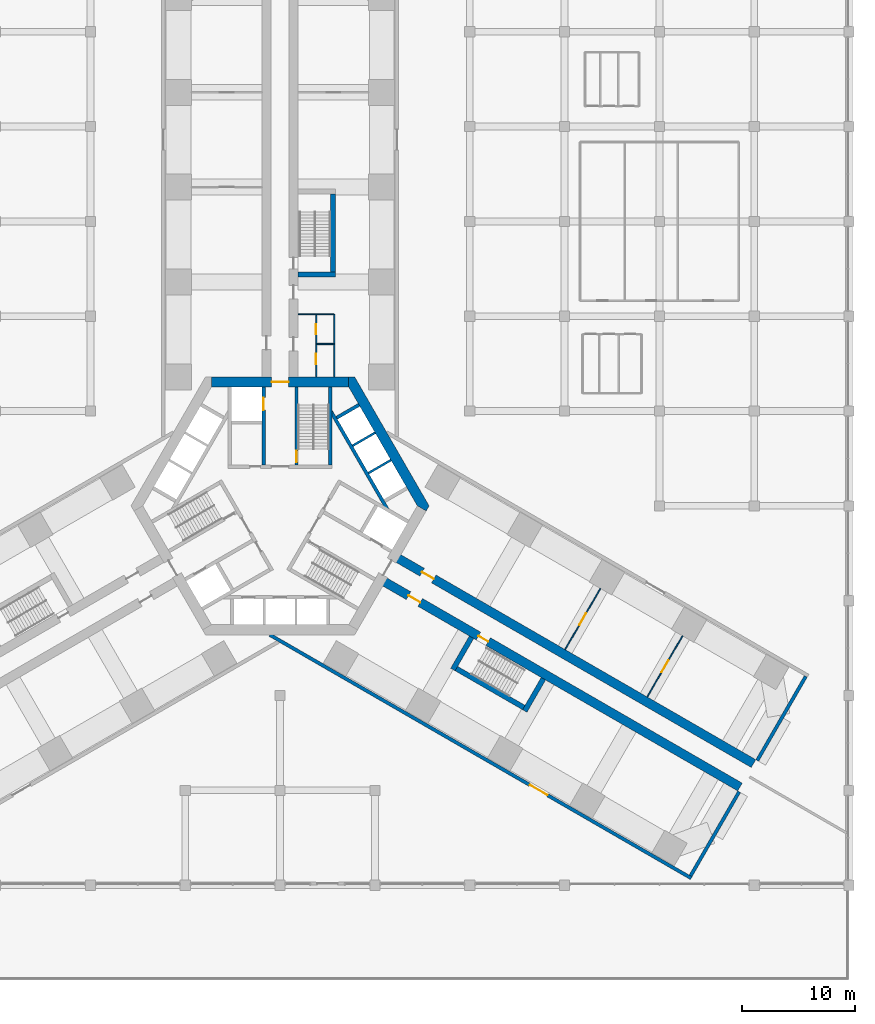
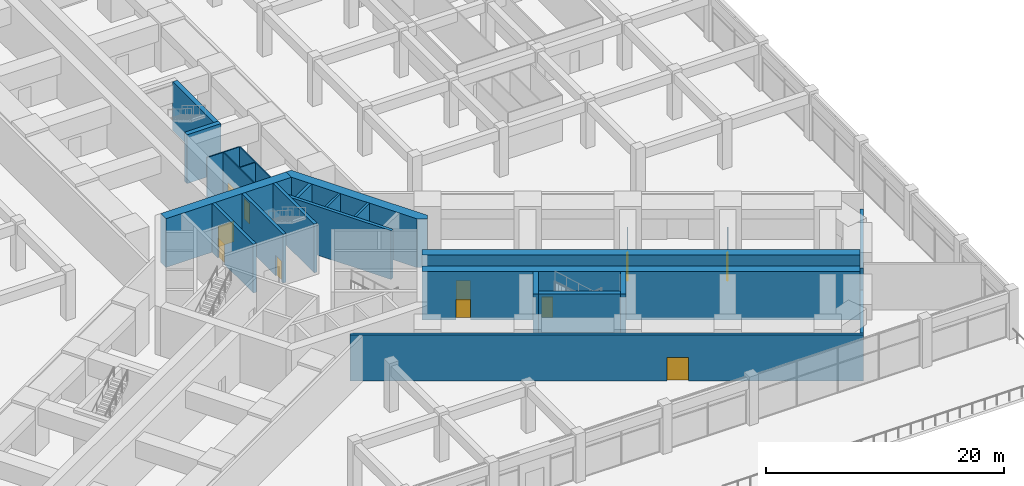
# One storey, part 30 of 36: 25 walls, 11 doors, 11 openings.
"""IFC4 building model written with IfcOpenShell, lengths in metres."""

from ifc_helpers import new_model, si_unit, direction, frame, frame_2d, origin, place, context, subcontext, project, spatial, polyline, rectangle, outline, extrude, material, layer, layer_set, type_object, element, fill, save


model = new_model("IFC4")

# Units and contexts
model_context = context("Model", 3, precision=1e-05, world=origin(), true_north=direction((0.0, 1.0)))
body_context = subcontext(model_context, "Body", "Model", "MODEL_VIEW")
ifc_project = project(units=[si_unit("LENGTHUNIT", "METRE"), si_unit("AREAUNIT", "SQUARE_METRE"), si_unit("VOLUMEUNIT", "CUBIC_METRE"), si_unit("PLANEANGLEUNIT", "RADIAN"), si_unit("MASSUNIT", "GRAM", prefix="KILO")], contexts=[model_context])

# Site, building, storey
site_placement = place(None, origin())
site = spatial("IfcSite", under=ifc_project, at=site_placement, CompositionType="ELEMENT")
building_placement = place(site_placement, origin())
building = spatial("IfcBuilding", under=site, at=building_placement, Name="Impinga Residences", CompositionType="ELEMENT")
storey_placement = place(building_placement, frame((0.0, 0.0, 6.0)))
storey = spatial("IfcBuildingStorey", under=building, at=storey_placement, Name="L01", CompositionType="ELEMENT", Elevation=6.0)

# Wall, opening, door
ifc_material_1 = material(Name="Concrete C70/85", Category="concrete")
ifc_layer_1 = layer(ifc_material_1, 0.800048828125)
ifc_layer_set_1 = layer_set([ifc_layer_1], Name="Concrete C70/85")
wall_type_1 = type_object("IfcWallType", Name="BW0 corridor buttress wall, B3 to L04 800", PredefinedType="SHEAR", material=ifc_layer_set_1)
wall_1_placement = place(storey_placement, frame((10.1103515625, -4.451416015625, 0.0), z_axis=(0.0, 0.0, 1.0), x_axis=(0.866025284237, -0.500000207062, 0.0)))
wall_1 = element("IfcWall", 1, at=wall_1_placement, inside=storey, type_object=wall_type_1, Name="Corridor wall BW0 EC L01", PredefinedType="SHEAR", context=body_context, shape_type="SweptSolid", body=[
    extrude(rectangle(XDim=36.75, YDim=0.800048828125, at=frame_2d((18.375, 0.0))), origin(), (0.0, 0.0, 1.0), 5.0),
])
opening_1_placement = place(wall_1_placement, frame((2.85009765625, 0.0, 0.0)))
opening_1 = element("IfcOpeningElement", 2, at=opening_1_placement, cuts=wall_1, Name="Opening D3", PredefinedType="OPENING", context=body_context, shape_type="SweptSolid", body=[
    extrude(rectangle(XDim=1.199951171875, YDim=2.10009765625, at=frame_2d((0.60009765625, 1.050048828125))), frame((0.0, 0.409912109375, 0.0), z_axis=(0.0, -1.0, 0.0), x_axis=(1.0, 0.0, 0.0)), (0.0, 0.0, 1.0), 0.820068359375),
])
ifc_material_2 = material(Name="Timber door set", Category="wood")
door_type_1 = type_object("IfcDoorType", Name="D3 room door, leaf and a half 1200x2100", OperationType="DOUBLE_SWING_LEFT", PredefinedType="DOOR", material=ifc_material_2)
door_1_placement = place(opening_1_placement, origin())
door_1 = element("IfcDoor", 3, at=door_1_placement, inside=storey, type_object=door_type_1, Name="Cinema room door L01-EA1", OperationType="DOUBLE_SWING_LEFT", OverallHeight=2.10009765625, OverallWidth=1.199951171875, PredefinedType="DOOR", context=body_context, shape_type="SweptSolid", body=[
    extrude(rectangle(XDim=1.199951171875, YDim=2.10009765625, at=frame_2d((0.60009765625, 1.050048828125))), frame((0.0, 0.02490234375, 0.0), z_axis=(0.0, -1.0, 0.0), x_axis=(1.0, 0.0, 0.0)), (0.0, 0.0, 1.0), 0.050048828125),
])
fill(opening_1, door_1)

# Wall, openings, doors
wall_2_placement = place(storey_placement, frame((8.910400390625, -6.530029296875, 0.0), z_axis=(0.0, 0.0, 1.0), x_axis=(0.866025284237, -0.500000207062, 0.0)))
wall_2 = element("IfcWall", 4, at=wall_2_placement, inside=storey, type_object=wall_type_1, Name="Corridor wall BW0 ED L01", PredefinedType="SHEAR", context=body_context, shape_type="SweptSolid", body=[
    extrude(rectangle(XDim=36.75, YDim=0.800048828125, at=frame_2d((18.375, 0.0))), origin(), (0.0, 0.0, 1.0), 5.0),
])
opening_2_placement = place(wall_2_placement, frame((10.0, 0.0, 0.0)))
opening_2 = element("IfcOpeningElement", 5, at=opening_2_placement, cuts=wall_2, Name="Opening D5", PredefinedType="OPENING", context=body_context, shape_type="SweptSolid", body=[
    extrude(rectangle(XDim=1.0, YDim=2.10009765625, at=frame_2d((0.5, 1.050048828125))), frame((0.0, 0.409912109375, 0.0), z_axis=(0.0, -1.0, 0.0), x_axis=(1.0, 0.0, 0.0)), (0.0, 0.0, 1.0), 0.820068359375),
])
opening_3_placement = place(wall_2_placement, frame((2.85009765625, 0.0, 0.0)))
opening_3 = element("IfcOpeningElement", 6, at=opening_3_placement, cuts=wall_2, Name="Opening D3", PredefinedType="OPENING", context=body_context, shape_type="SweptSolid", body=[
    extrude(rectangle(XDim=1.199951171875, YDim=2.10009765625, at=frame_2d((0.60009765625, 1.050048828125))), frame((0.0, 0.409912109375, 0.0), z_axis=(0.0, -1.0, 0.0), x_axis=(1.0, 0.0, 0.0)), (0.0, 0.0, 1.0), 0.820068359375),
])
door_2_placement = place(opening_3_placement, origin())
door_2 = element("IfcDoor", 7, at=door_2_placement, inside=storey, type_object=door_type_1, Name="Music room door L01-EF1", OperationType="DOUBLE_SWING_LEFT", OverallHeight=2.10009765625, OverallWidth=1.199951171875, PredefinedType="DOOR", context=body_context, shape_type="SweptSolid", body=[
    extrude(rectangle(XDim=1.199951171875, YDim=2.10009765625, at=frame_2d((0.60009765625, 1.050048828125))), frame((0.0, 0.02490234375, 0.0), z_axis=(0.0, -1.0, 0.0), x_axis=(1.0, 0.0, 0.0)), (0.0, 0.0, 1.0), 0.050048828125),
])
fill(opening_3, door_2)
door_type_2 = type_object("IfcDoorType", Name="D5 stair door 1000x2100", OperationType="SINGLE_SWING_LEFT", PredefinedType="DOOR", material=ifc_material_2)
door_3_placement = place(opening_2_placement, origin())
door_3 = element("IfcDoor", 8, at=door_3_placement, inside=storey, type_object=door_type_2, Name="Wing stair door E", OperationType="SINGLE_SWING_LEFT", OverallHeight=2.10009765625, OverallWidth=1.0, PredefinedType="DOOR", context=body_context, shape_type="SweptSolid", body=[
    extrude(rectangle(XDim=1.0, YDim=2.10009765625, at=frame_2d((0.5, 1.050048828125))), frame((0.0, 0.02490234375, 0.0), z_axis=(0.0, -1.0, 0.0), x_axis=(1.0, 0.0, 0.0)), (0.0, 0.0, 1.0), 0.050048828125),
])
fill(opening_2, door_3)

# Wall, opening, door
ifc_material_3 = material(Name="Concrete blockwork", Category="masonry")
ifc_layer_2 = layer(ifc_material_3, 0.10009765625)
ifc_layer_set_2 = layer_set([ifc_layer_2], Name="CP1 core room partition, blockwork 100")
wall_type_2 = type_object("IfcWallType", Name="CP1 core room partition, blockwork 100", PredefinedType="PARTITIONING", material=ifc_layer_set_2)
wall_3_placement = place(storey_placement, frame((25.249267578125, -12.730224609375, 0.0), z_axis=(0.0, 0.0, 1.0), x_axis=(0.499987320047, 0.866032724435, 0.0)))
wall_3 = element("IfcWall", 9, at=wall_3_placement, inside=storey, type_object=wall_type_2, Name="Core room partition, blockwork L01-EA1:PS1", PredefinedType="PARTITIONING", context=body_context, shape_type="SweptSolid", body=[
    extrude(rectangle(XDim=6.250244140625, YDim=0.10009765625, at=frame_2d((3.125, 0.0))), origin(), (0.0, 0.0, 1.0), 2.89990234375),
])
opening_4_placement = place(wall_3_placement, frame((2.52490234375, 0.0, 0.0)))
opening_4 = element("IfcOpeningElement", 10, at=opening_4_placement, cuts=wall_3, Name="Opening D3", PredefinedType="OPENING", context=body_context, shape_type="SweptSolid", body=[
    extrude(rectangle(XDim=1.199951171875, YDim=2.10009765625, at=frame_2d((0.60009765625, 1.050048828125))), frame((0.0, 0.06005859375, 0.0), z_axis=(0.0, -1.0, 0.0), x_axis=(1.0, 0.0, 0.0)), (0.0, 0.0, 1.0), 0.1201171875),
])
door_4_placement = place(opening_4_placement, origin())
door_4 = element("IfcDoor", 11, at=door_4_placement, inside=storey, type_object=door_type_1, Name="Projection room door L01-EA1", OperationType="DOUBLE_SWING_LEFT", OverallHeight=2.10009765625, OverallWidth=1.199951171875, PredefinedType="DOOR", context=body_context, shape_type="SweptSolid", body=[
    extrude(rectangle(XDim=1.199951171875, YDim=2.10009765625, at=frame_2d((0.60009765625, 1.050048828125))), frame((0.0, 0.02490234375, 0.0), z_axis=(0.0, -1.0, 0.0), x_axis=(1.0, 0.0, 0.0)), (0.0, 0.0, 1.0), 0.050048828125),
])
fill(opening_4, door_4)

wall_4_placement = place(storey_placement, frame((32.52392578125, -16.93017578125, 0.0), z_axis=(0.0, 0.0, 1.0), x_axis=(0.500004234368, 0.866022959057, 0.0)))
wall_4 = element("IfcWall", 12, at=wall_4_placement, inside=storey, type_object=wall_type_2, Name="Core room partition, blockwork L01-EA1:PS2", PredefinedType="PARTITIONING", context=body_context, shape_type="SweptSolid", body=[
    extrude(rectangle(XDim=6.25, YDim=0.10009765625, at=frame_2d((3.125, 0.0))), origin(), (0.0, 0.0, 1.0), 2.89990234375),
])
opening_5_placement = place(wall_4_placement, frame((2.52490234375, 0.0, 0.0)))
opening_5 = element("IfcOpeningElement", 13, at=opening_5_placement, cuts=wall_4, Name="Opening D3", PredefinedType="OPENING", context=body_context, shape_type="SweptSolid", body=[
    extrude(rectangle(XDim=1.199951171875, YDim=2.10009765625, at=frame_2d((0.60009765625, 1.050048828125))), frame((0.0, 0.06005859375, 0.0), z_axis=(0.0, -1.0, 0.0), x_axis=(1.0, 0.0, 0.0)), (0.0, 0.0, 1.0), 0.1201171875),
])
door_5_placement = place(opening_5_placement, origin())
door_5 = element("IfcDoor", 14, at=door_5_placement, inside=storey, type_object=door_type_1, Name="Cinema store door L01-EA1", OperationType="DOUBLE_SWING_LEFT", OverallHeight=2.10009765625, OverallWidth=1.199951171875, PredefinedType="DOOR", context=body_context, shape_type="SweptSolid", body=[
    extrude(rectangle(XDim=1.199951171875, YDim=2.10009765625, at=frame_2d((0.60009765625, 1.050048828125))), frame((0.0, 0.02490234375, 0.0), z_axis=(0.0, -1.0, 0.0), x_axis=(1.0, 0.0, 0.0)), (0.0, 0.0, 1.0), 0.050048828125),
])
fill(opening_5, door_5)

# Wall, openings, doors
ifc_material_4 = material(Name="Gypsum board on steel studs", Category="steel")
ifc_layer_3 = layer(ifc_material_4, 0.10009765625)
ifc_layer_set_3 = layer_set([ifc_layer_3], Name="Gypsum board on steel studs")
wall_type_3 = type_object("IfcWallType", Name="IP1 partition 100", PredefinedType="PARTITIONING", material=ifc_layer_set_3)
wall_5_placement = place(storey_placement, frame((3.199951171875, 11.431640625, 0.0), z_axis=(0.0, 0.0, 1.0), x_axis=(0.0, 1.0, 0.0)))
wall_5 = element("IfcWall", 15, at=wall_5_placement, inside=storey, type_object=wall_type_3, Name="Partition L01-NF1:L1", PredefinedType="PARTITIONING", context=body_context, shape_type="SweptSolid", body=[
    extrude(rectangle(XDim=5.599853515625, YDim=0.10009765625, at=frame_2d((2.7998046875, 0.0))), origin(), (0.0, 0.0, 1.0), 4.699951171875),
])
opening_6_placement = place(wall_5_placement, frame((1.125, 0.0, 0.0)))
opening_6 = element("IfcOpeningElement", 16, at=opening_6_placement, cuts=wall_5, Name="Opening D2", PredefinedType="OPENING", context=body_context, shape_type="SweptSolid", body=[
    extrude(rectangle(XDim=0.89990234375, YDim=2.10009765625, at=frame_2d((0.449951171875, 1.050048828125))), frame((0.0, 0.06005859375, 0.0), z_axis=(0.0, -1.0, 0.0), x_axis=(1.0, 0.0, 0.0)), (0.0, 0.0, 1.0), 0.1201171875),
])
opening_7_placement = place(wall_5_placement, frame((3.77490234375, 0.0, 0.0)))
opening_7 = element("IfcOpeningElement", 17, at=opening_7_placement, cuts=wall_5, Name="Opening D2", PredefinedType="OPENING", context=body_context, shape_type="SweptSolid", body=[
    extrude(rectangle(XDim=0.89990234375, YDim=2.10009765625, at=frame_2d((0.449951171875, 1.050048828125))), frame((0.0, 0.06005859375, 0.0), z_axis=(0.0, -1.0, 0.0), x_axis=(1.0, 0.0, 0.0)), (0.0, 0.0, 1.0), 0.1201171875),
])
door_type_3 = type_object("IfcDoorType", Name="D2 internal door 900x2100", OperationType="SINGLE_SWING_LEFT", PredefinedType="DOOR", material=ifc_material_2)
door_6_placement = place(opening_6_placement, origin())
door_6 = element("IfcDoor", 18, at=door_6_placement, inside=storey, type_object=door_type_3, Name="WC door L01-NF1", OperationType="SINGLE_SWING_LEFT", OverallHeight=2.10009765625, OverallWidth=0.89990234375, PredefinedType="DOOR", context=body_context, shape_type="SweptSolid", body=[
    extrude(rectangle(XDim=0.89990234375, YDim=2.10009765625, at=frame_2d((0.449951171875, 1.050048828125))), frame((0.0, 0.02490234375, 0.0), z_axis=(0.0, -1.0, 0.0), x_axis=(1.0, 0.0, 0.0)), (0.0, 0.0, 1.0), 0.050048828125),
])
fill(opening_6, door_6)
door_7_placement = place(opening_7_placement, origin())
door_7 = element("IfcDoor", 19, at=door_7_placement, inside=storey, type_object=door_type_3, Name="Accessible WC door L01-NF1", OperationType="SINGLE_SWING_RIGHT", OverallHeight=2.10009765625, OverallWidth=0.89990234375, PredefinedType="DOOR", context=body_context, shape_type="SweptSolid", body=[
    extrude(rectangle(XDim=0.89990234375, YDim=2.10009765625, at=frame_2d((0.449951171875, 1.050048828125))), frame((0.0, 0.02490234375, 0.0), z_axis=(0.0, -1.0, 0.0), x_axis=(1.0, 0.0, 0.0)), (0.0, 0.0, 1.0), 0.050048828125),
])
fill(opening_7, door_7)

# Walls
wall_6_placement = place(storey_placement, frame((3.25, 14.33154296875, 0.0), z_axis=(0.0, 0.0, 1.0), x_axis=(1.0, 0.0, 0.0)))
element("IfcWall", 20, at=wall_6_placement, inside=storey, type_object=wall_type_3, Name="Partition L01-NF1:T1", PredefinedType="PARTITIONING", context=body_context, shape_type="SweptSolid", body=[
    extrude(rectangle(XDim=1.5, YDim=0.10009765625, at=frame_2d((0.75, 0.0))), origin(), (0.0, 0.0, 1.0), 4.699951171875),
])
wall_7_placement = place(storey_placement, frame((4.800048828125, 11.431640625, 0.0), z_axis=(0.0, 0.0, 1.0), x_axis=(0.0, 1.0, 0.0)))
element("IfcWall", 21, at=wall_7_placement, inside=storey, type_object=wall_type_3, Name="Partition L01-NF1:T2", PredefinedType="PARTITIONING", context=body_context, shape_type="SweptSolid", body=[
    extrude(rectangle(XDim=5.5498046875, YDim=0.10009765625, at=frame_2d((2.77490234375, 0.0))), origin(), (0.0, 0.0, 1.0), 4.699951171875),
])
wall_8_placement = place(storey_placement, frame((1.60009765625, 16.9814453125, 0.0), z_axis=(0.0, 0.0, 1.0), x_axis=(1.0, 0.0, 0.0)))
element("IfcWall", 22, at=wall_8_placement, inside=storey, type_object=wall_type_3, Name="Partition L01-NF1:T3", PredefinedType="PARTITIONING", context=body_context, shape_type="SweptSolid", body=[
    extrude(rectangle(XDim=3.14990234375, YDim=0.10009765625, at=frame_2d((1.574951171875, 0.0))), origin(), (0.0, 0.0, 1.0), 4.699951171875),
])
ifc_layer_4 = layer(ifc_material_3, 0.300048828125)
ifc_layer_set_4 = layer_set([ifc_layer_4], Name="PW3 podium wall on the wing face 300")
wall_type_4 = type_object("IfcWallType", Name="PW3 podium wall on the wing face 300", PredefinedType="SOLIDWALL", material=ifc_layer_set_4)
for number, where, z_axis, x_axis, name in (
    (23, (42.2666015625, -22.55517578125, 0.0), (0.0, 0.0, 1.0), (0.500007509209, 0.866021068297, 0.0), "Podium wall on the wing face L01:END:EA"),
    (24, (40.666748046875, -25.326416015625, 0.0), (0.0, 0.0, 1.0), (-0.500007509209, -0.866021068297, 0.0), "Podium wall on the wing face L01:END:EF"),
):
    element("IfcWall", number, at=place(storey_placement, frame(where, z_axis=z_axis, x_axis=x_axis)), inside=storey, type_object=wall_type_4, Name=name, PredefinedType="SOLIDWALL", context=body_context, shape_type="SweptSolid", body=[
        extrude(rectangle(XDim=8.599853515625, YDim=0.300048828125, at=frame_2d((4.2998046875, 0.0))), origin(), (0.0, 0.0, 1.0), 3.10009765625),
    ])

# Wall, opening, door
wall_9_placement = place(storey_placement, frame((-0.89990234375, -11.431640625, 0.0), z_axis=(0.0, 0.0, 1.0), x_axis=(0.866025301493, -0.500000177174, 0.0)))
wall_9 = element("IfcWall", 25, at=wall_9_placement, inside=storey, type_object=wall_type_4, Name="Podium wall on the wing face L01:SIDE:EF0", PredefinedType="SOLIDWALL", context=body_context, shape_type="SweptSolid", body=[
    extrude(rectangle(XDim=43.09521484375, YDim=0.300048828125, at=frame_2d((21.547607421875, 0.0))), origin(), (0.0, 0.0, 1.0), 4.699951171875),
])
opening_8_placement = place(wall_9_placement, frame((26.59521484375, 0.0, 0.0)))
opening_8 = element("IfcOpeningElement", 26, at=opening_8_placement, cuts=wall_9, Name="Opening D7", PredefinedType="OPENING", context=body_context, shape_type="SweptSolid", body=[
    extrude(rectangle(XDim=1.800048828125, YDim=2.39990234375, at=frame_2d((0.89990234375, 1.199951171875))), frame((0.0, 0.159912109375, 0.0), z_axis=(0.0, -1.0, 0.0), x_axis=(1.0, 0.0, 0.0)), (0.0, 0.0, 1.0), 0.320068359375),
])
door_type_4 = type_object("IfcDoorType", Name="D7 podium door pair 1800x2400", OperationType="DOUBLE_DOOR_DOUBLE_SWING", PredefinedType="DOOR", material=ifc_material_2)
door_8_placement = place(opening_8_placement, origin())
door_8 = element("IfcDoor", 27, at=door_8_placement, inside=storey, type_object=door_type_4, Name="Double door EF", OperationType="DOUBLE_DOOR_DOUBLE_SWING", OverallHeight=2.39990234375, OverallWidth=1.800048828125, PredefinedType="DOOR", context=body_context, shape_type="SweptSolid", body=[
    extrude(rectangle(XDim=1.800048828125, YDim=2.39990234375, at=frame_2d((0.89990234375, 1.199951171875))), frame((0.0, 0.02490234375, 0.0), z_axis=(0.0, -1.0, 0.0), x_axis=(1.0, 0.0, 0.0)), (0.0, 0.0, 1.0), 0.050048828125),
])
fill(opening_8, door_8)

# Walls
ifc_material_5 = material(Name="Concrete C60/75", Category="concrete")
ifc_layer_5 = layer(ifc_material_5, 0.449951171875)
ifc_layer_set_5 = layer_set([ifc_layer_5], Name="Concrete C60/75")
wall_type_5 = type_object("IfcWallType", Name="SE2 wing stair enclosure wall, ground and podium storeys 450", PredefinedType="SOLIDWALL", material=ifc_layer_set_5)
wall_10_placement = place(storey_placement, frame((1.60009765625, 20.506591796875, 0.0), z_axis=(0.0, 0.0, 1.0), x_axis=(1.0, 0.0, 0.0)))
element("IfcWall", 28, at=wall_10_placement, inside=storey, type_object=wall_type_5, Name="Stair enclosure wall SE2 N END0 L01", PredefinedType="SOLIDWALL", context=body_context, shape_type="SweptSolid", body=[
    extrude(rectangle(XDim=3.2998046875, YDim=0.449951171875, at=frame_2d((1.64990234375, 0.0))), origin(), (0.0, 0.0, 1.0), 5.0),
])
wall_11_placement = place(storey_placement, frame((4.675048828125, 20.7314453125, 0.0), z_axis=(0.0, 0.0, 1.0), x_axis=(0.0, 1.0, 0.0)))
element("IfcWall", 29, at=wall_11_placement, inside=storey, type_object=wall_type_5, Name="Stair enclosure wall SE2 N OUT L01", PredefinedType="SOLIDWALL", context=body_context, shape_type="SweptSolid", body=[
    extrude(rectangle(XDim=6.900146484375, YDim=0.449951171875, at=frame_2d((3.4501953125, 0.0))), origin(), (0.0, 0.0, 1.0), 5.0),
])
for number, where, z_axis, x_axis, name in (
    (30, (16.959228515625, -11.638916015625, 0.0), (0.0, 0.0, 1.0), (-0.50002983664, -0.866008176907, 0.0), "Stair enclosure wall SE2 E END0 L01"),
    (31, (23.324462890625, -15.31396484375, 0.0), (0.0, 0.0, 1.0), (-0.499974350878, -0.866040211805, 0.0), "Stair enclosure wall SE2 E END1 L01"),
):
    element("IfcWall", number, at=place(storey_placement, frame(where, z_axis=z_axis, x_axis=x_axis)), inside=storey, type_object=wall_type_5, Name=name, PredefinedType="SOLIDWALL", context=body_context, shape_type="SweptSolid", body=[
        extrude(rectangle(XDim=3.300048828125, YDim=0.449951171875, at=frame_2d((1.64990234375, 0.0))), origin(), (0.0, 0.0, 1.0), 5.0),
    ])
wall_12_placement = place(storey_placement, frame((15.616455078125, -14.41455078125, 0.0), z_axis=(0.0, 0.0, 1.0), x_axis=(0.866028853923, -0.499994024137, 0.0)))
element("IfcWall", 32, at=wall_12_placement, inside=storey, type_object=wall_type_5, Name="Stair enclosure wall SE2 E OUT L01", PredefinedType="SOLIDWALL", context=body_context, shape_type="SweptSolid", body=[
    extrude(rectangle(XDim=6.89990234375, YDim=0.449951171875, at=frame_2d((3.449951171875, 0.0))), origin(), (0.0, 0.0, 1.0), 5.0),
])

# Wall, opening, door
ifc_layer_6 = layer(ifc_material_1, 0.89990234375)
ifc_layer_set_6 = layer_set([ifc_layer_6], Name="Concrete C70/85")
wall_type_6 = type_object("IfcWallType", Name="SW1 core wall 900", PredefinedType="SHEAR", material=ifc_layer_set_6)
wall_13_placement = place(storey_placement, frame((-6.080322265625, 10.9814453125, 0.0), z_axis=(0.0, 0.0, 1.0), x_axis=(1.0, 0.0, 0.0)))
wall_13 = element("IfcWall", 33, at=wall_13_placement, inside=storey, type_object=wall_type_6, Name="Core wall SW1 N:FACE L01", PredefinedType="SHEAR", context=body_context, shape_type="SweptSolid", body=[
    extrude(rectangle(XDim=12.16064453125, YDim=0.89990234375, at=frame_2d((6.080322265625, 0.0))), origin(), (0.0, 0.0, 1.0), 5.0),
])
opening_9_placement = place(wall_13_placement, frame((5.330322265625, 0.0, 0.0)))
opening_9 = element("IfcOpeningElement", 34, at=opening_9_placement, cuts=wall_13, Name="Opening D4", PredefinedType="OPENING", context=body_context, shape_type="SweptSolid", body=[
    extrude(rectangle(XDim=1.5, YDim=2.10009765625, at=frame_2d((0.75, 1.050048828125))), frame((0.0, 0.4599609375, 0.0), z_axis=(0.0, -1.0, 0.0), x_axis=(1.0, 0.0, 0.0)), (0.0, 0.0, 1.0), 0.919921875),
])
door_type_5 = type_object("IfcDoorType", Name="D4 lobby door pair 1500x2100", OperationType="DOUBLE_DOOR_DOUBLE_SWING", PredefinedType="DOOR", material=ifc_material_2)
door_9_placement = place(opening_9_placement, origin())
door_9 = element("IfcDoor", 35, at=door_9_placement, inside=storey, type_object=door_type_5, Name="Lobby door N", OperationType="DOUBLE_DOOR_DOUBLE_SWING", OverallHeight=2.10009765625, OverallWidth=1.5, PredefinedType="DOOR", context=body_context, shape_type="SweptSolid", body=[
    extrude(rectangle(XDim=1.5, YDim=2.10009765625, at=frame_2d((0.75, 1.050048828125))), frame((0.0, 0.02490234375, 0.0), z_axis=(0.0, -1.0, 0.0), x_axis=(1.0, 0.0, 0.0)), (0.0, 0.0, 1.0), 0.050048828125),
])
fill(opening_9, door_9)

# Wall
wall_14_placement = place(storey_placement, origin())
element("IfcWall", 36, at=wall_14_placement, inside=storey, type_object=wall_type_6, Name="Core wall SW1 W:EXPOSED L01", PredefinedType="SHEAR", context=body_context, shape_type="SweptSolid", body=[
    extrude(outline(polyline([(13.199951171875, 0.0), (6.60009765625, 11.431640625), (6.080322265625, 11.431640625), (6.080322265625, 10.531494140625), (12.160888671875, 0.0), (12.940185546875, -0.449951171875), (13.199951171875, 0.0)])), origin(), (0.0, 0.0, 1.0), 5.0),
])

# Wall, opening, door
ifc_layer_7 = layer(ifc_material_1, 0.300048828125)
ifc_layer_set_7 = layer_set([ifc_layer_7], Name="Concrete C70/85")
wall_type_7 = type_object("IfcWallType", Name="SW5 core inner wall, stairs, shafts and lobbies 300", PredefinedType="SHEAR", material=ifc_layer_set_7)
wall_15_placement = place(storey_placement, frame((1.449951171875, 3.6298828125, 0.0), z_axis=(0.0, 0.0, 1.0), x_axis=(0.0, 1.0, 0.0)))
wall_15 = element("IfcWall", 37, at=wall_15_placement, inside=storey, type_object=wall_type_7, Name="Core wall SW5 N:ST-IN L01", PredefinedType="SHEAR", context=body_context, shape_type="SweptSolid", body=[
    extrude(rectangle(XDim=6.901611328125, YDim=0.300048828125, at=frame_2d((3.45068359375, 0.0))), origin(), (0.0, 0.0, 1.0), 5.0),
])
opening_10_placement = place(wall_15_placement, frame((0.25, 0.0, 0.0)))
opening_10 = element("IfcOpeningElement", 38, at=opening_10_placement, cuts=wall_15, Name="Opening D5", PredefinedType="OPENING", context=body_context, shape_type="SweptSolid", body=[
    extrude(rectangle(XDim=1.0, YDim=2.10009765625, at=frame_2d((0.5, 1.050048828125))), frame((0.0, 0.159912109375, 0.0), z_axis=(0.0, -1.0, 0.0), x_axis=(1.0, 0.0, 0.0)), (0.0, 0.0, 1.0), 0.320068359375),
])
door_10_placement = place(opening_10_placement, origin())
door_10 = element("IfcDoor", 39, at=door_10_placement, inside=storey, type_object=door_type_2, Name="Stair door N", OperationType="SINGLE_SWING_LEFT", OverallHeight=2.10009765625, OverallWidth=1.0, PredefinedType="DOOR", context=body_context, shape_type="SweptSolid", body=[
    extrude(rectangle(XDim=1.0, YDim=2.10009765625, at=frame_2d((0.5, 1.050048828125))), frame((0.0, 0.02490234375, 0.0), z_axis=(0.0, -1.0, 0.0), x_axis=(1.0, 0.0, 0.0)), (0.0, 0.0, 1.0), 0.050048828125),
])
fill(opening_10, door_10)

# Wall
wall_16_placement = place(storey_placement, frame((4.449951171875, 3.6298828125, 0.0), z_axis=(0.0, 0.0, 1.0), x_axis=(0.0, 1.0, 0.0)))
element("IfcWall", 40, at=wall_16_placement, inside=storey, type_object=wall_type_7, Name="Core wall SW5 N:ST-OUT L01", PredefinedType="SHEAR", context=body_context, shape_type="SweptSolid", body=[
    extrude(rectangle(XDim=6.901611328125, YDim=0.300048828125, at=frame_2d((3.45068359375, 0.0))), origin(), (0.0, 0.0, 1.0), 5.0),
])

# Wall, opening, door
wall_17_placement = place(storey_placement, frame((-1.449951171875, 3.6298828125, 0.0), z_axis=(0.0, 0.0, 1.0), x_axis=(0.0, 1.0, 0.0)))
wall_17 = element("IfcWall", 41, at=wall_17_placement, inside=storey, type_object=wall_type_7, Name="Core wall SW5 N:FF-IN L01", PredefinedType="SHEAR", context=body_context, shape_type="SweptSolid", body=[
    extrude(rectangle(XDim=6.901611328125, YDim=0.300048828125, at=frame_2d((3.45068359375, 0.0))), origin(), (0.0, 0.0, 1.0), 5.0),
])
opening_11_placement = place(wall_17_placement, frame((4.85009765625, 0.0, 0.0)))
opening_11 = element("IfcOpeningElement", 42, at=opening_11_placement, cuts=wall_17, Name="Opening LD2", PredefinedType="OPENING", context=body_context, shape_type="SweptSolid", body=[
    extrude(rectangle(XDim=1.10009765625, YDim=2.10009765625, at=frame_2d((0.550048828125, 1.050048828125))), frame((0.0, 0.159912109375, 0.0), z_axis=(0.0, -1.0, 0.0), x_axis=(1.0, 0.0, 0.0)), (0.0, 0.0, 1.0), 0.320068359375),
])
ifc_material_6 = material(Name="Steel lift landing door", Category="steel")
door_type_6 = type_object("IfcDoorType", Name="LD2 firefighting lift landing door 1100x2100", OperationType="DOUBLE_DOOR_SLIDING", PredefinedType="DOOR", material=ifc_material_6)
door_11_placement = place(opening_11_placement, origin())
door_11 = element("IfcDoor", 43, at=door_11_placement, inside=storey, type_object=door_type_6, Name="Firefighting lift landing door F1", OperationType="DOUBLE_DOOR_SLIDING", OverallHeight=2.10009765625, OverallWidth=1.10009765625, PredefinedType="DOOR", context=body_context, shape_type="SweptSolid", body=[
    extrude(rectangle(XDim=1.10009765625, YDim=2.10009765625, at=frame_2d((0.550048828125, 1.050048828125))), frame((0.0, 0.02490234375, 0.0), z_axis=(0.0, -1.0, 0.0), x_axis=(1.0, 0.0, 0.0)), (0.0, 0.0, 1.0), 0.050048828125),
])
fill(opening_11, door_11)

# Walls
wall_18_placement = place(storey_placement, frame((4.449951171875, 8.455322265625, 0.0), z_axis=(0.0, 0.0, 1.0), x_axis=(0.500002290144, -0.866024081565, 0.0)))
element("IfcWall", 44, at=wall_18_placement, inside=storey, type_object=wall_type_7, Name="Core wall SW5 W:BANK-FRONT L01", PredefinedType="SHEAR", context=body_context, shape_type="SweptSolid", body=[
    extrude(rectangle(XDim=10.1953125, YDim=0.300048828125, at=frame_2d((5.09765625, 0.0))), origin(), (0.0, 0.0, 1.0), 5.0),
])
wall_19_placement = place(storey_placement, frame((5.003662109375, 7.79638671875, 0.0), z_axis=(0.0, 0.0, 1.0), x_axis=(0.866053019151, 0.499952165731, 0.0)))
element("IfcWall", 45, at=wall_19_placement, inside=storey, type_object=wall_type_7, Name="Core wall SW5 W:BANK-L L01", PredefinedType="SHEAR", context=body_context, shape_type="SweptSolid", body=[
    extrude(rectangle(XDim=2.300048828125, YDim=0.300048828125, at=frame_2d((1.14990234375, 0.0))), origin(), (0.0, 0.0, 1.0), 5.0),
])
ifc_layer_8 = layer(ifc_material_1, 0.199951171875)
ifc_layer_set_8 = layer_set([ifc_layer_8], Name="Concrete C70/85")
wall_type_8 = type_object("IfcWallType", Name="SW6 lift shaft divider wall 200", PredefinedType="SHEAR", material=ifc_layer_set_8)
for number, where, z_axis, x_axis, name in (
    (46, (6.4287109375, 5.328125, 0.0), (0.0, 0.0, 1.0), (0.866007057882, 0.500031774688, 0.0), "Core wall SW6 W:BANK-D1 L01"),
    (47, (7.82861328125, 2.9033203125, 0.0), (0.0, 0.0, 1.0), (0.866053019151, 0.499952165731, 0.0), "Core wall SW6 W:BANK-D2 L01"),
):
    element("IfcWall", number, at=place(storey_placement, frame(where, z_axis=z_axis, x_axis=x_axis)), inside=storey, type_object=wall_type_8, Name=name, PredefinedType="SHEAR", context=body_context, shape_type="SweptSolid", body=[
        extrude(rectangle(XDim=2.300048828125, YDim=0.199951171875, at=frame_2d((1.14990234375, 0.0))), origin(), (0.0, 0.0, 1.0), 5.0),
    ])

save(model, "model.ifc")
